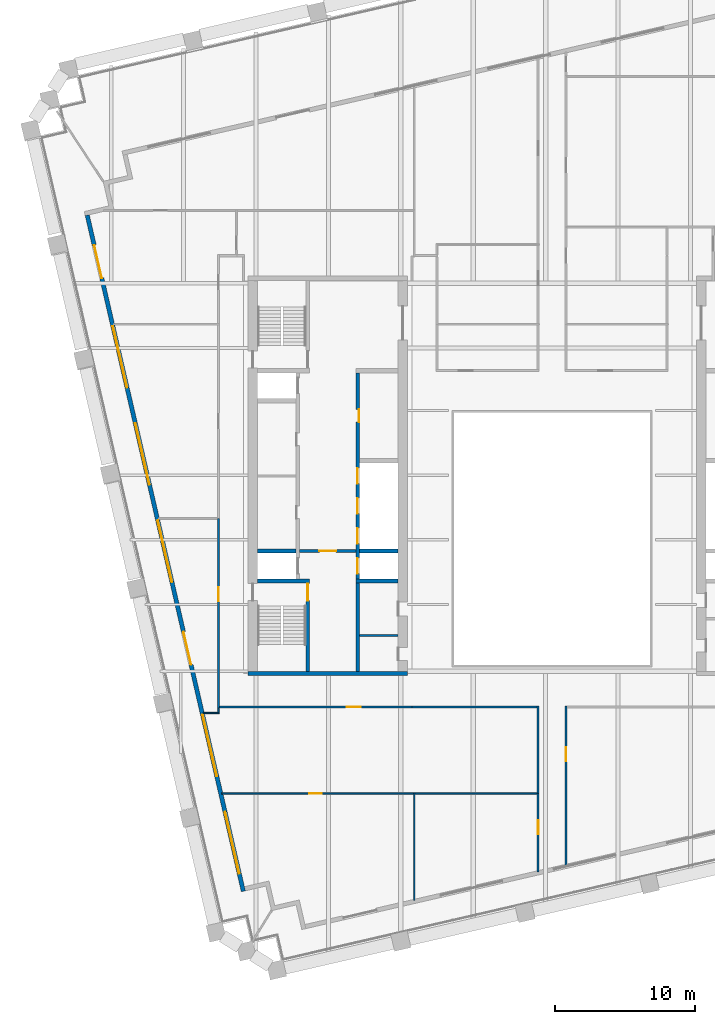
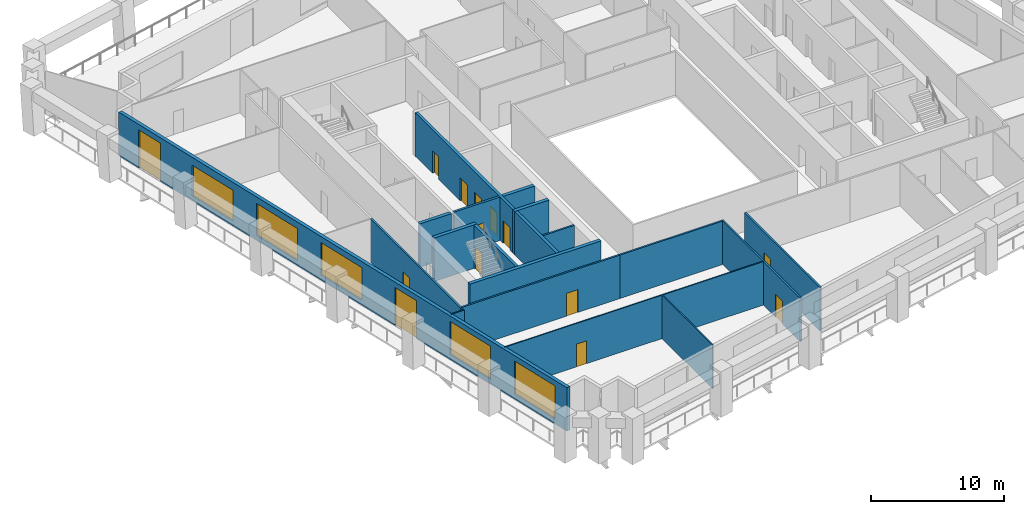
# One storey, part 4 of 11: 21 walls, 14 doors, 5 windows, 19 openings.
"""IFC4 building model written with IfcOpenShell, lengths in metres."""

from ifc_helpers import new_model, si_unit, direction, frame, frame_2d, origin, place, context, subcontext, project, spatial, rectangle, extrude, material, layer, layer_set, type_object, element, fill, save


model = new_model("IFC4")

# Units and contexts
model_context = context("Model", 3, precision=1e-05, world=origin(), true_north=direction((0.0, 1.0)))
body_context = subcontext(model_context, "Body", "Model", "MODEL_VIEW")
ifc_project = project(units=[si_unit("LENGTHUNIT", "METRE"), si_unit("AREAUNIT", "SQUARE_METRE"), si_unit("VOLUMEUNIT", "CUBIC_METRE"), si_unit("PLANEANGLEUNIT", "RADIAN"), si_unit("MASSUNIT", "GRAM", prefix="KILO")], contexts=[model_context])

# Site, building, storey
site_placement = place(None, origin())
site = spatial("IfcSite", under=ifc_project, at=site_placement, CompositionType="ELEMENT")
building_placement = place(site_placement, origin())
building = spatial("IfcBuilding", under=site, at=building_placement, Name="Ogive Exchange Tower", CompositionType="ELEMENT")
storey_placement = place(building_placement, frame((0.0, 0.0, 213.60009765625)))
storey = spatial("IfcBuildingStorey", under=building, at=storey_placement, Name="L47", CompositionType="ELEMENT", Elevation=213.60009765625)

# Wall
ifc_material_1 = material(Name="Gypsum board partition")
ifc_layer_1 = layer(ifc_material_1, 0.14990234375)
ifc_layer_set_1 = layer_set([ifc_layer_1], Name="Core room partition 150 gypsum")
wall_type_1 = type_object("IfcWallType", Name="Core room partition 150 gypsum", PredefinedType="PARTITIONING", material=ifc_layer_set_1)
wall_1_placement = place(storey_placement, frame((-13.75, 0.10009765625, 0.0), z_axis=(0.0, 0.0, 1.0), x_axis=(1.0, 0.0, 0.0)))
element("IfcWall", 1, at=wall_1_placement, inside=storey, type_object=wall_type_1, Name="W south room partition", PredefinedType="PARTITIONING", context=body_context, shape_type="SweptSolid", body=[
    extrude(rectangle(XDim=2.75, YDim=0.14990234375, at=frame_2d((1.375, 0.0))), origin(), (0.0, 0.0, 1.0), 4.0),
])

# Wall, opening, door
ifc_material_2 = material(Name="Fire partition EI 60 150")
ifc_layer_2 = layer(ifc_material_2, 0.14990234375)
ifc_layer_set_2 = layer_set([ifc_layer_2], Name="Fire partition EI 60 150")
wall_type_2 = type_object("IfcWallType", Name="Fire partition EI 60 150", PredefinedType="PARTITIONING", material=ifc_layer_set_2)
wall_2_placement = place(storey_placement, frame((-23.800048828125, -5.074951171875, 0.0), z_axis=(0.0, 0.0, 1.0), x_axis=(0.0, 1.0, 0.0)))
wall_2 = element("IfcWall", 2, at=wall_2_placement, inside=storey, type_object=wall_type_2, Name="L47-PWL-002", PredefinedType="PARTITIONING", context=body_context, shape_type="SweptSolid", body=[
    extrude(rectangle(XDim=13.52490234375, YDim=0.14990234375, at=frame_2d((6.762451171875, 0.0))), origin(), (0.0, 0.0, 1.0), 4.0),
])
opening_1_placement = place(wall_2_placement, frame((7.625, 0.0, 0.0)))
opening_1 = element("IfcOpeningElement", 3, at=opening_1_placement, cuts=wall_2, Name="Opening L47-I08", PredefinedType="OPENING", context=body_context, shape_type="SweptSolid", body=[
    extrude(rectangle(XDim=1.0, YDim=2.10009765625, at=frame_2d((0.5, 1.050048828125))), frame((0.0, 0.0849609375, 0.0), z_axis=(0.0, -1.0, 0.0), x_axis=(1.0, 0.0, 0.0)), (0.0, 0.0, 1.0), 0.169921875),
])
ifc_material_3 = material(Name="Fire door FD 30S 1000 x 2100")
door_type_1 = type_object("IfcDoorType", Name="Fire door FD 30S 1000 x 2100", OperationType="NOTDEFINED", PredefinedType="DOOR", material=ifc_material_3)
door_1_placement = place(opening_1_placement, origin())
door_1 = element("IfcDoor", 4, at=door_1_placement, inside=storey, type_object=door_type_1, Name="L47-IDR-008", ObjectType="DT3", OperationType="SINGLE_SWING_LEFT", OverallHeight=2.10009765625, OverallWidth=1.0, PredefinedType="DOOR", context=body_context, shape_type="SweptSolid", body=[
    extrude(rectangle(XDim=1.0, YDim=2.10009765625, at=frame_2d((0.5, 1.050048828125))), frame((0.0, 0.02490234375, 0.0), z_axis=(0.0, -1.0, 0.0), x_axis=(1.0, 0.0, 0.0)), (0.0, 0.0, 1.0), 0.050048828125),
])
fill(opening_1, door_1)

wall_3_placement = place(storey_placement, frame((-10.0, -5.0, 0.0), z_axis=(0.0, 0.0, 1.0), x_axis=(-1.0, 0.0, 0.0)))
wall_3 = element("IfcWall", 5, at=wall_3_placement, inside=storey, type_object=wall_type_2, Name="L47-PWL-013", PredefinedType="PARTITIONING", context=body_context, shape_type="SweptSolid", body=[
    extrude(rectangle(XDim=13.715087890625, YDim=0.14990234375, at=frame_2d((6.857421875, 0.0))), origin(), (0.0, 0.0, 1.0), 4.0),
])
opening_2_placement = place(wall_3_placement, frame((3.639892578125, 0.0, 0.0)))
opening_2 = element("IfcOpeningElement", 6, at=opening_2_placement, cuts=wall_3, Name="Opening L47-I09", PredefinedType="OPENING", context=body_context, shape_type="SweptSolid", body=[
    extrude(rectangle(XDim=1.0, YDim=2.10009765625, at=frame_2d((0.5, 1.050048828125))), frame((0.0, 0.0849609375, 0.0), z_axis=(0.0, -1.0, 0.0), x_axis=(1.0, 0.0, 0.0)), (0.0, 0.0, 1.0), 0.169921875),
])
door_2_placement = place(opening_2_placement, origin())
door_2 = element("IfcDoor", 7, at=door_2_placement, inside=storey, type_object=door_type_1, Name="L47-IDR-009", ObjectType="DT3", OperationType="SINGLE_SWING_LEFT", OverallHeight=2.10009765625, OverallWidth=1.0, PredefinedType="DOOR", context=body_context, shape_type="SweptSolid", body=[
    extrude(rectangle(XDim=1.0, YDim=2.10009765625, at=frame_2d((0.5, 1.050048828125))), frame((0.0, 0.02490234375, 0.0), z_axis=(0.0, -1.0, 0.0), x_axis=(1.0, 0.0, 0.0)), (0.0, 0.0, 1.0), 0.050048828125),
])
fill(opening_2, door_2)

wall_4_placement = place(storey_placement, frame((-0.989990234375, -16.7529296875, 0.0), z_axis=(0.0, 0.0, 1.0), x_axis=(0.0, 1.0, 0.0)))
wall_4 = element("IfcWall", 8, at=wall_4_placement, inside=storey, type_object=wall_type_2, Name="L47-PWL-027", PredefinedType="PARTITIONING", context=body_context, shape_type="SweptSolid", body=[
    extrude(rectangle(XDim=5.5830078125, YDim=0.14990234375, at=frame_2d((2.79150390625, 0.0))), origin(), (0.0, 0.0, 1.0), 4.0),
])
opening_3_placement = place(wall_4_placement, frame((2.68310546875, 0.0, 0.0)))
opening_3 = element("IfcOpeningElement", 9, at=opening_3_placement, cuts=wall_4, Name="Opening L47-I10", PredefinedType="OPENING", context=body_context, shape_type="SweptSolid", body=[
    extrude(rectangle(XDim=1.0, YDim=2.10009765625, at=frame_2d((0.5, 1.050048828125))), frame((0.0, 0.0849609375, 0.0), z_axis=(0.0, -1.0, 0.0), x_axis=(1.0, 0.0, 0.0)), (0.0, 0.0, 1.0), 0.169921875),
])
door_3_placement = place(opening_3_placement, origin())
door_3 = element("IfcDoor", 10, at=door_3_placement, inside=storey, type_object=door_type_1, Name="L47-IDR-010", ObjectType="DT3", OperationType="SINGLE_SWING_LEFT", OverallHeight=2.10009765625, OverallWidth=1.0, PredefinedType="DOOR", context=body_context, shape_type="SweptSolid", body=[
    extrude(rectangle(XDim=1.0, YDim=2.10009765625, at=frame_2d((0.5, 1.050048828125))), frame((0.0, 0.02490234375, 0.0), z_axis=(0.0, -1.0, 0.0), x_axis=(1.0, 0.0, 0.0)), (0.0, 0.0, 1.0), 0.050048828125),
])
fill(opening_3, door_3)

# Walls
wall_5_placement = place(storey_placement, frame((-0.989990234375, -11.169921875, 0.0), z_axis=(0.0, 0.0, 1.0), x_axis=(0.0, 1.0, 0.0)))
element("IfcWall", 11, at=wall_5_placement, inside=storey, type_object=wall_type_2, Name="L47-PWL-029", PredefinedType="PARTITIONING", context=body_context, shape_type="SweptSolid", body=[
    extrude(rectangle(XDim=6.244873046875, YDim=0.14990234375, at=frame_2d((3.12255859375, 0.0))), origin(), (0.0, 0.0, 1.0), 4.0),
])
wall_6_placement = place(storey_placement, frame((-1.06494140625, -5.0, 0.0), z_axis=(0.0, 0.0, 1.0), x_axis=(-1.0, 0.0, 0.0)))
element("IfcWall", 12, at=wall_6_placement, inside=storey, type_object=wall_type_2, Name="L47-PWL-030", PredefinedType="PARTITIONING", context=body_context, shape_type="SweptSolid", body=[
    extrude(rectangle(XDim=8.93505859375, YDim=0.14990234375, at=frame_2d((4.467529296875, 0.0))), origin(), (0.0, 0.0, 1.0), 4.0),
])

# Wall, opening, door
wall_7_placement = place(storey_placement, frame((0.989990234375, -4.925048828125, 0.0), z_axis=(0.0, 0.0, 1.0), x_axis=(0.0, -1.0, 0.0)))
wall_7 = element("IfcWall", 13, at=wall_7_placement, inside=storey, type_object=wall_type_2, Name="L47-PWL-034", PredefinedType="PARTITIONING", context=body_context, shape_type="SweptSolid", body=[
    extrude(rectangle(XDim=11.370849609375, YDim=0.14990234375, at=frame_2d((5.685546875, 0.0))), origin(), (0.0, 0.0, 1.0), 4.0),
])
opening_4_placement = place(wall_7_placement, frame((2.945068359375, 0.0, 0.0)))
opening_4 = element("IfcOpeningElement", 14, at=opening_4_placement, cuts=wall_7, Name="Opening L47-I13", PredefinedType="OPENING", context=body_context, shape_type="SweptSolid", body=[
    extrude(rectangle(XDim=1.0, YDim=2.10009765625, at=frame_2d((0.5, 1.050048828125))), frame((0.0, 0.0849609375, 0.0), z_axis=(0.0, -1.0, 0.0), x_axis=(1.0, 0.0, 0.0)), (0.0, 0.0, 1.0), 0.169921875),
])
door_4_placement = place(opening_4_placement, origin())
door_4 = element("IfcDoor", 15, at=door_4_placement, inside=storey, type_object=door_type_1, Name="L47-IDR-013", ObjectType="DT3", OperationType="SINGLE_SWING_RIGHT", OverallHeight=2.10009765625, OverallWidth=1.0, PredefinedType="DOOR", context=body_context, shape_type="SweptSolid", body=[
    extrude(rectangle(XDim=1.0, YDim=2.10009765625, at=frame_2d((0.5, 1.050048828125))), frame((0.0, 0.02490234375, 0.0), z_axis=(0.0, -1.0, 0.0), x_axis=(1.0, 0.0, 0.0)), (0.0, 0.0, 1.0), 0.050048828125),
])
fill(opening_4, door_4)

# Wall, openings, doors, windows
ifc_material_4 = material(Name="Precast concrete C40/50", Category="concrete")
ifc_layer_3 = layer(ifc_material_4, 0.300048828125)
ifc_layer_set_3 = layer_set([ifc_layer_3], Name="Limestone-faced wall 300")
wall_type_3 = type_object("IfcWallType", Name="Limestone-faced wall 300", PredefinedType="STANDARD", material=ifc_layer_set_3)
wall_8_placement = place(storey_placement, frame((-33.1572265625, 30.092041015625, 0.0), z_axis=(0.0, 0.0, 1.0), x_axis=(0.224950279389, -0.974370243697, 0.0)))
wall_8 = element("IfcWall", 16, at=wall_8_placement, inside=storey, type_object=wall_type_3, Name="External wall W4", PredefinedType="STANDARD", context=body_context, shape_type="SweptSolid", body=[
    extrude(rectangle(XDim=49.499755859375, YDim=0.300048828125, at=frame_2d((24.75, 0.0))), origin(), (0.0, 0.0, 1.0), 4.0),
])
opening_5_placement = place(wall_8_placement, frame((2.20703125, 0.0, 0.0)))
opening_5 = element("IfcOpeningElement", 17, at=opening_5_placement, cuts=wall_8, Name="Opening D1", PredefinedType="OPENING", context=body_context, shape_type="SweptSolid", body=[
    extrude(rectangle(XDim=2.39990234375, YDim=3.5, at=frame_2d((1.199951171875, 1.75))), frame((0.0, 0.159912109375, 0.0), z_axis=(0.0, -1.0, 0.0), x_axis=(1.0, 0.0, 0.0)), (0.0, 0.0, 1.0), 0.320068359375),
])
opening_6_placement = place(wall_8_placement, frame((8.121337890625, 0.0, 0.449951171875)))
opening_6 = element("IfcOpeningElement", 18, at=opening_6_placement, cuts=wall_8, Name="Opening W1E", PredefinedType="OPENING", context=body_context, shape_type="SweptSolid", body=[
    extrude(rectangle(XDim=4.5, YDim=2.824951171875, at=frame_2d((2.25, 1.41259765625))), frame((0.0, 0.159912109375, 0.0), z_axis=(0.0, -1.0, 0.0), x_axis=(1.0, 0.0, 0.0)), (0.0, 0.0, 1.0), 0.320068359375),
])
opening_7_placement = place(wall_8_placement, frame((15.235595703125, 0.0, 0.449951171875)))
opening_7 = element("IfcOpeningElement", 19, at=opening_7_placement, cuts=wall_8, Name="Opening W1B", PredefinedType="OPENING", context=body_context, shape_type="SweptSolid", body=[
    extrude(rectangle(XDim=4.5, YDim=2.949951171875, at=frame_2d((2.25, 1.47509765625))), frame((0.0, 0.159912109375, 0.0), z_axis=(0.0, -1.0, 0.0), x_axis=(1.0, 0.0, 0.0)), (0.0, 0.0, 1.0), 0.320068359375),
])
opening_8_placement = place(wall_8_placement, frame((22.35009765625, 0.0, 0.449951171875)))
opening_8 = element("IfcOpeningElement", 20, at=opening_8_placement, cuts=wall_8, Name="Opening W1A", PredefinedType="OPENING", context=body_context, shape_type="SweptSolid", body=[
    extrude(rectangle(XDim=4.5, YDim=3.0, at=frame_2d((2.25, 1.5))), frame((0.0, 0.159912109375, 0.0), z_axis=(0.0, -1.0, 0.0), x_axis=(1.0, 0.0, 0.0)), (0.0, 0.0, 1.0), 0.320068359375),
])
opening_9_placement = place(wall_8_placement, frame((30.51416015625, 0.0, 0.0)))
opening_9 = element("IfcOpeningElement", 21, at=opening_9_placement, cuts=wall_8, Name="Opening D1", PredefinedType="OPENING", context=body_context, shape_type="SweptSolid", body=[
    extrude(rectangle(XDim=2.39990234375, YDim=3.5, at=frame_2d((1.199951171875, 1.75))), frame((0.0, 0.159912109375, 0.0), z_axis=(0.0, -1.0, 0.0), x_axis=(1.0, 0.0, 0.0)), (0.0, 0.0, 1.0), 0.320068359375),
])
opening_10_placement = place(wall_8_placement, frame((36.57861328125, 0.0, 0.449951171875)))
opening_10 = element("IfcOpeningElement", 22, at=opening_10_placement, cuts=wall_8, Name="Opening W1", PredefinedType="OPENING", context=body_context, shape_type="SweptSolid", body=[
    extrude(rectangle(XDim=4.5, YDim=3.050048828125, at=frame_2d((2.25, 1.52490234375))), frame((0.0, 0.159912109375, 0.0), z_axis=(0.0, -1.0, 0.0), x_axis=(1.0, 0.0, 0.0)), (0.0, 0.0, 1.0), 0.320068359375),
])
opening_11_placement = place(wall_8_placement, frame((43.69287109375, 0.0, 0.449951171875)))
opening_11 = element("IfcOpeningElement", 23, at=opening_11_placement, cuts=wall_8, Name="Opening W1", PredefinedType="OPENING", context=body_context, shape_type="SweptSolid", body=[
    extrude(rectangle(XDim=4.5, YDim=3.050048828125, at=frame_2d((2.25, 1.52490234375))), frame((0.0, 0.159912109375, 0.0), z_axis=(0.0, -1.0, 0.0), x_axis=(1.0, 0.0, 0.0)), (0.0, 0.0, 1.0), 0.320068359375),
])
ifc_material_5 = material(Name="Clear glass in bronze frame", Category="glass")
door_type_2 = type_object("IfcDoorType", Name="Sliding loggia door 2400 x 3500", OperationType="DOUBLE_DOOR_SLIDING", PredefinedType="DOOR", material=ifc_material_5)
door_5_placement = place(opening_5_placement, origin())
door_5 = element("IfcDoor", 24, at=door_5_placement, inside=storey, type_object=door_type_2, Name="Loggia door W00", OperationType="DOUBLE_DOOR_SLIDING", OverallHeight=3.5, OverallWidth=2.39990234375, PredefinedType="DOOR", context=body_context, shape_type="SweptSolid", body=[
    extrude(rectangle(XDim=2.39990234375, YDim=3.5, at=frame_2d((1.199951171875, 1.75))), frame((0.0, 0.02490234375, 0.0), z_axis=(0.0, -1.0, 0.0), x_axis=(1.0, 0.0, 0.0)), (0.0, 0.0, 1.0), 0.050048828125),
])
fill(opening_5, door_5)
door_6_placement = place(opening_9_placement, origin())
door_6 = element("IfcDoor", 25, at=door_6_placement, inside=storey, type_object=door_type_2, Name="Loggia door W04", OperationType="DOUBLE_DOOR_SLIDING", OverallHeight=3.5, OverallWidth=2.39990234375, PredefinedType="DOOR", context=body_context, shape_type="SweptSolid", body=[
    extrude(rectangle(XDim=2.39990234375, YDim=3.5, at=frame_2d((1.199951171875, 1.75))), frame((0.0, 0.02490234375, 0.0), z_axis=(0.0, -1.0, 0.0), x_axis=(1.0, 0.0, 0.0)), (0.0, 0.0, 1.0), 0.050048828125),
])
fill(opening_9, door_6)
window_type_1 = type_object("IfcWindowType", Name="Twin lancet window 4500 x 2825", PartitioningType="DOUBLE_PANEL_VERTICAL", PredefinedType="WINDOW", material=ifc_material_5)
window_1_placement = place(opening_6_placement, origin())
window_1 = element("IfcWindow", 26, at=window_1_placement, inside=storey, type_object=window_type_1, Name="Window W01", OverallHeight=2.824951171875, OverallWidth=4.5, PartitioningType="DOUBLE_PANEL_VERTICAL", PredefinedType="WINDOW", context=body_context, shape_type="SweptSolid", body=[
    extrude(rectangle(XDim=4.5, YDim=2.824951171875, at=frame_2d((2.25, 1.41259765625))), frame((0.0, 0.030029296875, 0.0), z_axis=(0.0, -1.0, 0.0), x_axis=(1.0, 0.0, 0.0)), (0.0, 0.0, 1.0), 0.06005859375),
])
fill(opening_6, window_1)
window_type_2 = type_object("IfcWindowType", Name="Twin lancet window 4500 x 2950", PartitioningType="DOUBLE_PANEL_VERTICAL", PredefinedType="WINDOW", material=ifc_material_5)
window_2_placement = place(opening_7_placement, origin())
window_2 = element("IfcWindow", 27, at=window_2_placement, inside=storey, type_object=window_type_2, Name="Window W02", OverallHeight=2.949951171875, OverallWidth=4.5, PartitioningType="DOUBLE_PANEL_VERTICAL", PredefinedType="WINDOW", context=body_context, shape_type="SweptSolid", body=[
    extrude(rectangle(XDim=4.5, YDim=2.949951171875, at=frame_2d((2.25, 1.47509765625))), frame((0.0, 0.030029296875, 0.0), z_axis=(0.0, -1.0, 0.0), x_axis=(1.0, 0.0, 0.0)), (0.0, 0.0, 1.0), 0.06005859375),
])
fill(opening_7, window_2)
window_type_3 = type_object("IfcWindowType", Name="Twin lancet window 4500 x 3000", PartitioningType="DOUBLE_PANEL_VERTICAL", PredefinedType="WINDOW", material=ifc_material_5)
window_3_placement = place(opening_8_placement, origin())
window_3 = element("IfcWindow", 28, at=window_3_placement, inside=storey, type_object=window_type_3, Name="Window W03", OverallHeight=3.0, OverallWidth=4.5, PartitioningType="DOUBLE_PANEL_VERTICAL", PredefinedType="WINDOW", context=body_context, shape_type="SweptSolid", body=[
    extrude(rectangle(XDim=4.5, YDim=3.0, at=frame_2d((2.25, 1.5))), frame((0.0, 0.030029296875, 0.0), z_axis=(0.0, -1.0, 0.0), x_axis=(1.0, 0.0, 0.0)), (0.0, 0.0, 1.0), 0.06005859375),
])
fill(opening_8, window_3)
window_type_4 = type_object("IfcWindowType", Name="Twin lancet window 4500 x 3050", PartitioningType="DOUBLE_PANEL_VERTICAL", PredefinedType="WINDOW", material=ifc_material_5)
window_4_placement = place(opening_10_placement, origin())
window_4 = element("IfcWindow", 29, at=window_4_placement, inside=storey, type_object=window_type_4, Name="Window W05", OverallHeight=3.050048828125, OverallWidth=4.5, PartitioningType="DOUBLE_PANEL_VERTICAL", PredefinedType="WINDOW", context=body_context, shape_type="SweptSolid", body=[
    extrude(rectangle(XDim=4.5, YDim=3.050048828125, at=frame_2d((2.25, 1.52490234375))), frame((0.0, 0.030029296875, 0.0), z_axis=(0.0, -1.0, 0.0), x_axis=(1.0, 0.0, 0.0)), (0.0, 0.0, 1.0), 0.06005859375),
])
fill(opening_10, window_4)
window_5_placement = place(opening_11_placement, origin())
window_5 = element("IfcWindow", 30, at=window_5_placement, inside=storey, type_object=window_type_4, Name="Window W06", OverallHeight=3.050048828125, OverallWidth=4.5, PartitioningType="DOUBLE_PANEL_VERTICAL", PredefinedType="WINDOW", context=body_context, shape_type="SweptSolid", body=[
    extrude(rectangle(XDim=4.5, YDim=3.050048828125, at=frame_2d((2.25, 1.52490234375))), frame((0.0, 0.030029296875, 0.0), z_axis=(0.0, -1.0, 0.0), x_axis=(1.0, 0.0, 0.0)), (0.0, 0.0, 1.0), 0.06005859375),
])
fill(opening_11, window_5)

# Walls
ifc_material_6 = material(Name="Partition 100 gypsum")
ifc_layer_4 = layer(ifc_material_6, 0.10009765625)
ifc_layer_set_4 = layer_set([ifc_layer_4], Name="Partition 100 gypsum")
wall_type_4 = type_object("IfcWallType", Name="Partition 100 gypsum", PredefinedType="PARTITIONING", material=ifc_layer_set_4)
wall_9_placement = place(storey_placement, frame((-23.739990234375, -5.419921875, 0.0), z_axis=(0.0, 0.0, 1.0), x_axis=(-1.0, 0.0, 0.0)))
element("IfcWall", 31, at=wall_9_placement, inside=storey, type_object=wall_type_4, Name="L47-PWL-007", PredefinedType="PARTITIONING", context=body_context, shape_type="SweptSolid", body=[
    extrude(rectangle(XDim=1.14697265625, YDim=0.10009765625, at=frame_2d((0.573486328125, 0.0))), origin(), (0.0, 0.0, 1.0), 4.0),
])
wall_10_placement = place(storey_placement, frame((-23.7900390625, -5.074951171875, 0.0), z_axis=(0.0, 0.0, 1.0), x_axis=(0.0, -1.0, 0.0)))
element("IfcWall", 32, at=wall_10_placement, inside=storey, type_object=wall_type_4, Name="L47-PWL-008", PredefinedType="PARTITIONING", context=body_context, shape_type="SweptSolid", body=[
    extrude(rectangle(XDim=0.295166015625, YDim=0.10009765625, at=frame_2d((0.1474609375, 0.0))), origin(), (0.0, 0.0, 1.0), 4.0),
])
wall_11_placement = place(storey_placement, frame((-9.830078125, -18.7939453125, 0.0), z_axis=(0.0, 0.0, 1.0), x_axis=(0.0, 1.0, 0.0)))
element("IfcWall", 33, at=wall_11_placement, inside=storey, type_object=wall_type_4, Name="L47-PWL-015", PredefinedType="PARTITIONING", context=body_context, shape_type="SweptSolid", body=[
    extrude(rectangle(XDim=7.673828125, YDim=0.10009765625, at=frame_2d((3.8369140625, 0.0))), origin(), (0.0, 0.0, 1.0), 4.0),
])

# Wall, opening, door
wall_12_placement = place(storey_placement, frame((-9.8798828125, -11.169921875, 0.0), z_axis=(0.0, 0.0, 1.0), x_axis=(-1.0, 0.0, 0.0)))
wall_12 = element("IfcWall", 34, at=wall_12_placement, inside=storey, type_object=wall_type_4, Name="L47-PWL-016", PredefinedType="PARTITIONING", context=body_context, shape_type="SweptSolid", body=[
    extrude(rectangle(XDim=13.68017578125, YDim=0.10009765625, at=frame_2d((6.840087890625, 0.0))), origin(), (0.0, 0.0, 1.0), 4.0),
])
opening_12_placement = place(wall_12_placement, frame((6.550048828125, 0.0, 0.0)))
opening_12 = element("IfcOpeningElement", 35, at=opening_12_placement, cuts=wall_12, Name="Opening L47-I11", PredefinedType="OPENING", context=body_context, shape_type="SweptSolid", body=[
    extrude(rectangle(XDim=0.89990234375, YDim=2.10009765625, at=frame_2d((0.449951171875, 1.050048828125))), frame((0.0, 0.06005859375, 0.0), z_axis=(0.0, -1.0, 0.0), x_axis=(1.0, 0.0, 0.0)), (0.0, 0.0, 1.0), 0.1201171875),
])
ifc_material_7 = material(Name="Door 900 x 2100")
door_type_3 = type_object("IfcDoorType", Name="Door 900 x 2100", OperationType="NOTDEFINED", PredefinedType="DOOR", material=ifc_material_7)
door_7_placement = place(opening_12_placement, origin())
door_7 = element("IfcDoor", 36, at=door_7_placement, inside=storey, type_object=door_type_3, Name="L47-IDR-011", ObjectType="DT1", OperationType="SINGLE_SWING_RIGHT", OverallHeight=2.10009765625, OverallWidth=0.89990234375, PredefinedType="DOOR", context=body_context, shape_type="SweptSolid", body=[
    extrude(rectangle(XDim=0.89990234375, YDim=2.10009765625, at=frame_2d((0.449951171875, 1.050048828125))), frame((0.0, 0.02490234375, 0.0), z_axis=(0.0, -1.0, 0.0), x_axis=(1.0, 0.0, 0.0)), (0.0, 0.0, 1.0), 0.050048828125),
])
fill(opening_12, door_7)

# Wall
wall_13_placement = place(storey_placement, frame((-1.06494140625, -11.169921875, 0.0), z_axis=(0.0, 0.0, 1.0), x_axis=(-1.0, 0.0, 0.0)))
element("IfcWall", 37, at=wall_13_placement, inside=storey, type_object=wall_type_4, Name="L47-PWL-028", PredefinedType="PARTITIONING", context=body_context, shape_type="SweptSolid", body=[
    extrude(rectangle(XDim=8.715087890625, YDim=0.10009765625, at=frame_2d((4.357421875, 0.0))), origin(), (0.0, 0.0, 1.0), 4.0),
])

# Wall, opening, door
ifc_material_8 = material(Name="Concrete C70/85", Category="concrete")
ifc_layer_5 = layer(ifc_material_8, 0.199951171875)
ifc_layer_set_5 = layer_set([ifc_layer_5], Name="RC core wall 200 C70/85")
wall_type_5 = type_object("IfcWallType", Name="RC core wall 200 C70/85", PredefinedType="SHEAR", material=ifc_layer_set_5)
wall_14_placement = place(storey_placement, frame((-18.0, 6.142822265625, 0.0), z_axis=(0.0, 0.0, 1.0), x_axis=(1.0, 0.0, 0.0)))
wall_14 = element("IfcWall", 38, at=wall_14_placement, inside=storey, type_object=wall_type_5, Name="W firefighting lobby wall", PredefinedType="SHEAR", context=body_context, shape_type="SweptSolid", body=[
    extrude(rectangle(XDim=4.0, YDim=0.199951171875, at=frame_2d((2.0, 0.0))), origin(), (0.0, 0.0, 1.0), 4.0),
])
opening_13_placement = place(wall_14_placement, frame((1.39990234375, 0.0, 0.0)))
opening_13 = element("IfcOpeningElement", 39, at=opening_13_placement, cuts=wall_14, Name="Opening L47-C10", PredefinedType="OPENING", context=body_context, shape_type="SweptSolid", body=[
    extrude(rectangle(XDim=1.199951171875, YDim=2.10009765625, at=frame_2d((0.60009765625, 1.050048828125))), frame((0.0, 0.10986328125, 0.0), z_axis=(0.0, -1.0, 0.0), x_axis=(1.0, 0.0, 0.0)), (0.0, 0.0, 1.0), 0.219970703125),
])
ifc_material_9 = material(Name="Steel fire door", Category="steel")
door_type_4 = type_object("IfcDoorType", Name="Firefighting lobby door FD60 1200 x 2100", OperationType="NOTDEFINED", PredefinedType="DOOR", material=ifc_material_9)
door_8_placement = place(opening_13_placement, frame((1.199951171875, 0.0, 0.0), z_axis=(0.0, 0.0, 1.0), x_axis=(-1.0, 0.0, 0.0)))
door_8 = element("IfcDoor", 40, at=door_8_placement, inside=storey, type_object=door_type_4, Name="Firefighting lobby door", ObjectType="CD3", OperationType="SINGLE_SWING_LEFT", OverallHeight=2.10009765625, OverallWidth=1.199951171875, PredefinedType="DOOR", context=body_context, shape_type="SweptSolid", body=[
    extrude(rectangle(XDim=1.199951171875, YDim=2.10009765625, at=frame_2d((0.60009765625, 1.050048828125))), frame((0.0, 0.02490234375, 0.0), z_axis=(0.0, -1.0, 0.0), x_axis=(1.0, 0.0, 0.0)), (0.0, 0.0, 1.0), 0.050048828125),
])
fill(opening_13, door_8)

ifc_layer_6 = layer(ifc_material_8, 0.25)
ifc_layer_set_6 = layer_set([ifc_layer_6], Name="RC core wall 250 C70/85")
wall_type_6 = type_object("IfcWallType", Name="RC core wall 250 C70/85", PredefinedType="SHEAR", material=ifc_layer_set_6)
wall_15_placement = place(storey_placement, frame((-17.425048828125, -2.449951171875, 0.0), z_axis=(0.0, 0.0, 1.0), x_axis=(0.0, 1.0, 0.0)))
wall_15 = element("IfcWall", 41, at=wall_15_placement, inside=storey, type_object=wall_type_6, Name="W stair S front wall", PredefinedType="SHEAR", context=body_context, shape_type="SweptSolid", body=[
    extrude(rectangle(XDim=6.300048828125, YDim=0.25, at=frame_2d((3.14990234375, 0.0))), origin(), (0.0, 0.0, 1.0), 4.0),
])
opening_14_placement = place(wall_15_placement, frame((5.050048828125, 0.0, 0.0)))
opening_14 = element("IfcOpeningElement", 42, at=opening_14_placement, cuts=wall_15, Name="Opening L47-C12", PredefinedType="OPENING", context=body_context, shape_type="SweptSolid", body=[
    extrude(rectangle(XDim=1.199951171875, YDim=2.10009765625, at=frame_2d((0.60009765625, 1.050048828125))), frame((0.0, 0.135009765625, 0.0), z_axis=(0.0, -1.0, 0.0), x_axis=(1.0, 0.0, 0.0)), (0.0, 0.0, 1.0), 0.27001953125),
])
door_type_5 = type_object("IfcDoorType", Name="Stair door FD90 1200 x 2100", OperationType="NOTDEFINED", PredefinedType="DOOR", material=ifc_material_9)
door_9_placement = place(opening_14_placement, origin())
door_9 = element("IfcDoor", 43, at=door_9_placement, inside=storey, type_object=door_type_5, Name="Stair door", ObjectType="CD5", OperationType="SINGLE_SWING_LEFT", OverallHeight=2.10009765625, OverallWidth=1.199951171875, PredefinedType="DOOR", context=body_context, shape_type="SweptSolid", body=[
    extrude(rectangle(XDim=1.199951171875, YDim=2.10009765625, at=frame_2d((0.60009765625, 1.050048828125))), frame((0.0, 0.02490234375, 0.0), z_axis=(0.0, -1.0, 0.0), x_axis=(1.0, 0.0, 0.0)), (0.0, 0.0, 1.0), 0.050048828125),
])
fill(opening_14, door_9)

# Wall, openings, doors
wall_16_placement = place(storey_placement, frame((-13.875, -2.449951171875, 0.0), z_axis=(0.0, 0.0, 1.0), x_axis=(0.0, 1.0, 0.0)))
wall_16 = element("IfcWall", 44, at=wall_16_placement, inside=storey, type_object=wall_type_6, Name="W row B front wall", PredefinedType="SHEAR", context=body_context, shape_type="SweptSolid", body=[
    extrude(rectangle(XDim=21.300048828125, YDim=0.25, at=frame_2d((10.64990234375, 0.0))), origin(), (0.0, 0.0, 1.0), 4.0),
])
opening_15_placement = place(wall_16_placement, frame((17.78564453125, 0.0, 0.0)))
opening_15 = element("IfcOpeningElement", 45, at=opening_15_placement, cuts=wall_16, Name="Opening L47-C05", PredefinedType="OPENING", context=body_context, shape_type="SweptSolid", body=[
    extrude(rectangle(XDim=0.89990234375, YDim=2.10009765625, at=frame_2d((0.449951171875, 1.050048828125))), frame((0.0, 0.135009765625, 0.0), z_axis=(0.0, -1.0, 0.0), x_axis=(1.0, 0.0, 0.0)), (0.0, 0.0, 1.0), 0.27001953125),
])
opening_16_placement = place(wall_16_placement, frame((6.971435546875, 0.0, 0.0)))
opening_16 = element("IfcOpeningElement", 46, at=opening_16_placement, cuts=wall_16, Name="Opening L47-C06", PredefinedType="OPENING", context=body_context, shape_type="SweptSolid", body=[
    extrude(rectangle(XDim=1.10009765625, YDim=2.10009765625, at=frame_2d((0.550048828125, 1.050048828125))), frame((0.0, 0.135009765625, 0.0), z_axis=(0.0, -1.0, 0.0), x_axis=(1.0, 0.0, 0.0)), (0.0, 0.0, 1.0), 0.27001953125),
])
opening_17_placement = place(wall_16_placement, frame((9.1142578125, 0.0, 0.0)))
opening_17 = element("IfcOpeningElement", 47, at=opening_17_placement, cuts=wall_16, Name="Opening L47-C07", PredefinedType="OPENING", context=body_context, shape_type="SweptSolid", body=[
    extrude(rectangle(XDim=1.10009765625, YDim=2.10009765625, at=frame_2d((0.550048828125, 1.050048828125))), frame((0.0, 0.135009765625, 0.0), z_axis=(0.0, -1.0, 0.0), x_axis=(1.0, 0.0, 0.0)), (0.0, 0.0, 1.0), 0.27001953125),
])
opening_18_placement = place(wall_16_placement, frame((11.257080078125, 0.0, 0.0)))
opening_18 = element("IfcOpeningElement", 48, at=opening_18_placement, cuts=wall_16, Name="Opening L47-C08", PredefinedType="OPENING", context=body_context, shape_type="SweptSolid", body=[
    extrude(rectangle(XDim=1.10009765625, YDim=2.10009765625, at=frame_2d((0.550048828125, 1.050048828125))), frame((0.0, 0.135009765625, 0.0), z_axis=(0.0, -1.0, 0.0), x_axis=(1.0, 0.0, 0.0)), (0.0, 0.0, 1.0), 0.27001953125),
])
opening_19_placement = place(wall_16_placement, frame((13.39990234375, 0.0, 0.0)))
opening_19 = element("IfcOpeningElement", 49, at=opening_19_placement, cuts=wall_16, Name="Opening L47-C09", PredefinedType="OPENING", context=body_context, shape_type="SweptSolid", body=[
    extrude(rectangle(XDim=1.10009765625, YDim=2.10009765625, at=frame_2d((0.550048828125, 1.050048828125))), frame((0.0, 0.135009765625, 0.0), z_axis=(0.0, -1.0, 0.0), x_axis=(1.0, 0.0, 0.0)), (0.0, 0.0, 1.0), 0.27001953125),
])
ifc_material_10 = material(Name="Stainless steel", Category="steel")
door_type_6 = type_object("IfcDoorType", Name="Lift landing door FD90 1100 x 2100", OperationType="SLIDING_TO_LEFT", PredefinedType="DOOR", material=ifc_material_10)
door_10_placement = place(opening_16_placement, origin())
door_10 = element("IfcDoor", 50, at=door_10_placement, inside=storey, type_object=door_type_6, Name="Lift landing door SV1", ObjectType="LD", OperationType="SLIDING_TO_LEFT", OverallHeight=2.10009765625, OverallWidth=1.10009765625, PredefinedType="DOOR", context=body_context, shape_type="SweptSolid", body=[
    extrude(rectangle(XDim=1.10009765625, YDim=2.10009765625, at=frame_2d((0.550048828125, 1.050048828125))), frame((0.0, 0.02490234375, 0.0), z_axis=(0.0, -1.0, 0.0), x_axis=(1.0, 0.0, 0.0)), (0.0, 0.0, 1.0), 0.050048828125),
])
fill(opening_16, door_10)
door_11_placement = place(opening_17_placement, origin())
door_11 = element("IfcDoor", 51, at=door_11_placement, inside=storey, type_object=door_type_6, Name="Lift landing door W-M1", ObjectType="LD", OperationType="SLIDING_TO_LEFT", OverallHeight=2.10009765625, OverallWidth=1.10009765625, PredefinedType="DOOR", context=body_context, shape_type="SweptSolid", body=[
    extrude(rectangle(XDim=1.10009765625, YDim=2.10009765625, at=frame_2d((0.550048828125, 1.050048828125))), frame((0.0, 0.02490234375, 0.0), z_axis=(0.0, -1.0, 0.0), x_axis=(1.0, 0.0, 0.0)), (0.0, 0.0, 1.0), 0.050048828125),
])
fill(opening_17, door_11)
door_12_placement = place(opening_18_placement, origin())
door_12 = element("IfcDoor", 52, at=door_12_placement, inside=storey, type_object=door_type_6, Name="Lift landing door W-M2", ObjectType="LD", OperationType="SLIDING_TO_LEFT", OverallHeight=2.10009765625, OverallWidth=1.10009765625, PredefinedType="DOOR", context=body_context, shape_type="SweptSolid", body=[
    extrude(rectangle(XDim=1.10009765625, YDim=2.10009765625, at=frame_2d((0.550048828125, 1.050048828125))), frame((0.0, 0.02490234375, 0.0), z_axis=(0.0, -1.0, 0.0), x_axis=(1.0, 0.0, 0.0)), (0.0, 0.0, 1.0), 0.050048828125),
])
fill(opening_18, door_12)
door_13_placement = place(opening_19_placement, origin())
door_13 = element("IfcDoor", 53, at=door_13_placement, inside=storey, type_object=door_type_6, Name="Lift landing door W-M3", ObjectType="LD", OperationType="SLIDING_TO_LEFT", OverallHeight=2.10009765625, OverallWidth=1.10009765625, PredefinedType="DOOR", context=body_context, shape_type="SweptSolid", body=[
    extrude(rectangle(XDim=1.10009765625, YDim=2.10009765625, at=frame_2d((0.550048828125, 1.050048828125))), frame((0.0, 0.02490234375, 0.0), z_axis=(0.0, -1.0, 0.0), x_axis=(1.0, 0.0, 0.0)), (0.0, 0.0, 1.0), 0.050048828125),
])
fill(opening_19, door_13)
door_type_7 = type_object("IfcDoorType", Name="Riser door FD60 900 x 2100", OperationType="NOTDEFINED", PredefinedType="DOOR", material=ifc_material_9)
door_14_placement = place(opening_15_placement, frame((0.89990234375, -0.2001953125, 0.0), z_axis=(0.0, 0.0, 1.0), x_axis=(-1.0, 0.0, 0.0)))
door_14 = element("IfcDoor", 54, at=door_14_placement, inside=storey, type_object=door_type_7, Name="Riser door", ObjectType="CD2", OperationType="SINGLE_SWING_LEFT", OverallHeight=2.10009765625, OverallWidth=0.89990234375, PredefinedType="DOOR", context=body_context, shape_type="SweptSolid", body=[
    extrude(rectangle(XDim=0.89990234375, YDim=2.10009765625, at=frame_2d((0.449951171875, 1.050048828125))), frame((0.0, -0.0751953125, 0.0), z_axis=(0.0, -1.0, 0.0), x_axis=(1.0, 0.0, 0.0)), (0.0, 0.0, 1.0), 0.050048828125),
])
fill(opening_15, door_14)

# Walls
ifc_layer_7 = layer(ifc_material_8, 0.300048828125)
ifc_layer_set_7 = layer_set([ifc_layer_7], Name="RC core wall 300 C70/85")
wall_type_7 = type_object("IfcWallType", Name="RC core wall 300 C70/85", PredefinedType="SHEAR", material=ifc_layer_set_7)
wall_17_placement = place(storey_placement, frame((-21.699951171875, -2.60009765625, 0.0), z_axis=(0.0, 0.0, 1.0), x_axis=(1.0, 0.0, 0.0)))
element("IfcWall", 55, at=wall_17_placement, inside=storey, type_object=wall_type_7, Name="W south end wall", PredefinedType="SHEAR", context=body_context, shape_type="SweptSolid", body=[
    extrude(rectangle(XDim=11.39990234375, YDim=0.300048828125, at=frame_2d((5.699951171875, 0.0))), origin(), (0.0, 0.0, 1.0), 4.0),
])
wall_18_placement = place(storey_placement, frame((-21.0, 4.0, 0.0), z_axis=(0.0, 0.0, 1.0), x_axis=(1.0, 0.0, 0.0)))
element("IfcWall", 56, at=wall_18_placement, inside=storey, type_object=wall_type_7, Name="W stair S north wall", PredefinedType="SHEAR", context=body_context, shape_type="SweptSolid", body=[
    extrude(rectangle(XDim=3.699951171875, YDim=0.300048828125, at=frame_2d((1.85009765625, 0.0))), origin(), (0.0, 0.0, 1.0), 4.0),
])
wall_19_placement = place(storey_placement, frame((-21.0, 6.142822265625, 0.0), z_axis=(0.0, 0.0, 1.0), x_axis=(1.0, 0.0, 0.0)))
element("IfcWall", 57, at=wall_19_placement, inside=storey, type_object=wall_type_7, Name="W row A divider 1", PredefinedType="SHEAR", context=body_context, shape_type="SweptSolid", body=[
    extrude(rectangle(XDim=2.75, YDim=0.300048828125, at=frame_2d((1.375, 0.0))), origin(), (0.0, 0.0, 1.0), 4.0),
])
wall_20_placement = place(storey_placement, frame((-14.0, 4.0, 0.0), z_axis=(0.0, 0.0, 1.0), x_axis=(1.0, 0.0, 0.0)))
element("IfcWall", 58, at=wall_20_placement, inside=storey, type_object=wall_type_7, Name="W row B divider 0", PredefinedType="SHEAR", context=body_context, shape_type="SweptSolid", body=[
    extrude(rectangle(XDim=3.0, YDim=0.300048828125, at=frame_2d((1.5, 0.0))), origin(), (0.0, 0.0, 1.0), 4.0),
])
wall_21_placement = place(storey_placement, frame((-13.75, 6.142822265625, 0.0), z_axis=(0.0, 0.0, 1.0), x_axis=(1.0, 0.0, 0.0)))
element("IfcWall", 59, at=wall_21_placement, inside=storey, type_object=wall_type_7, Name="W row B divider 1", PredefinedType="SHEAR", context=body_context, shape_type="SweptSolid", body=[
    extrude(rectangle(XDim=2.75, YDim=0.300048828125, at=frame_2d((1.375, 0.0))), origin(), (0.0, 0.0, 1.0), 4.0),
])

save(model, "model.ifc")
